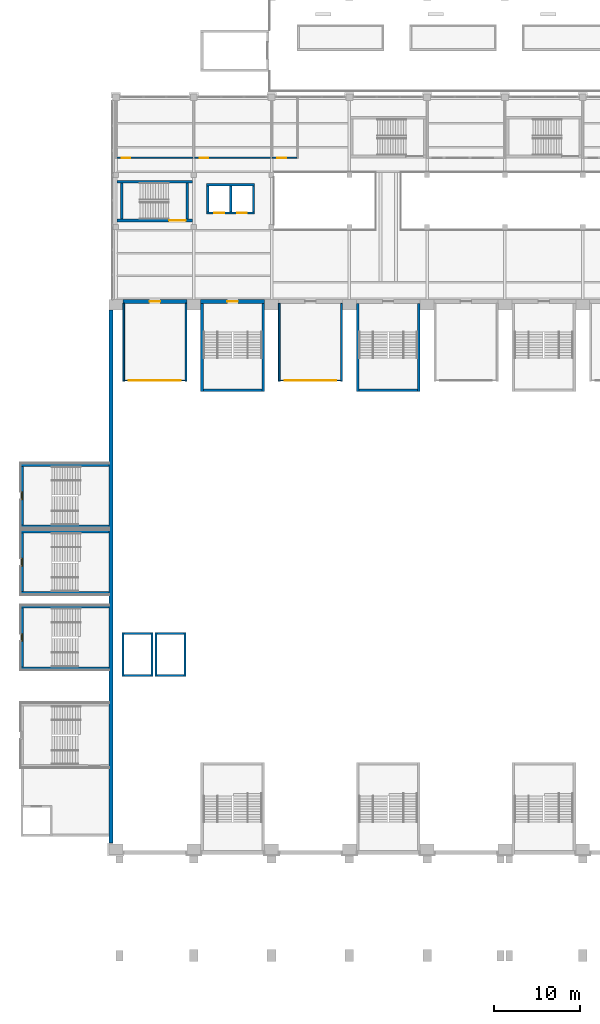
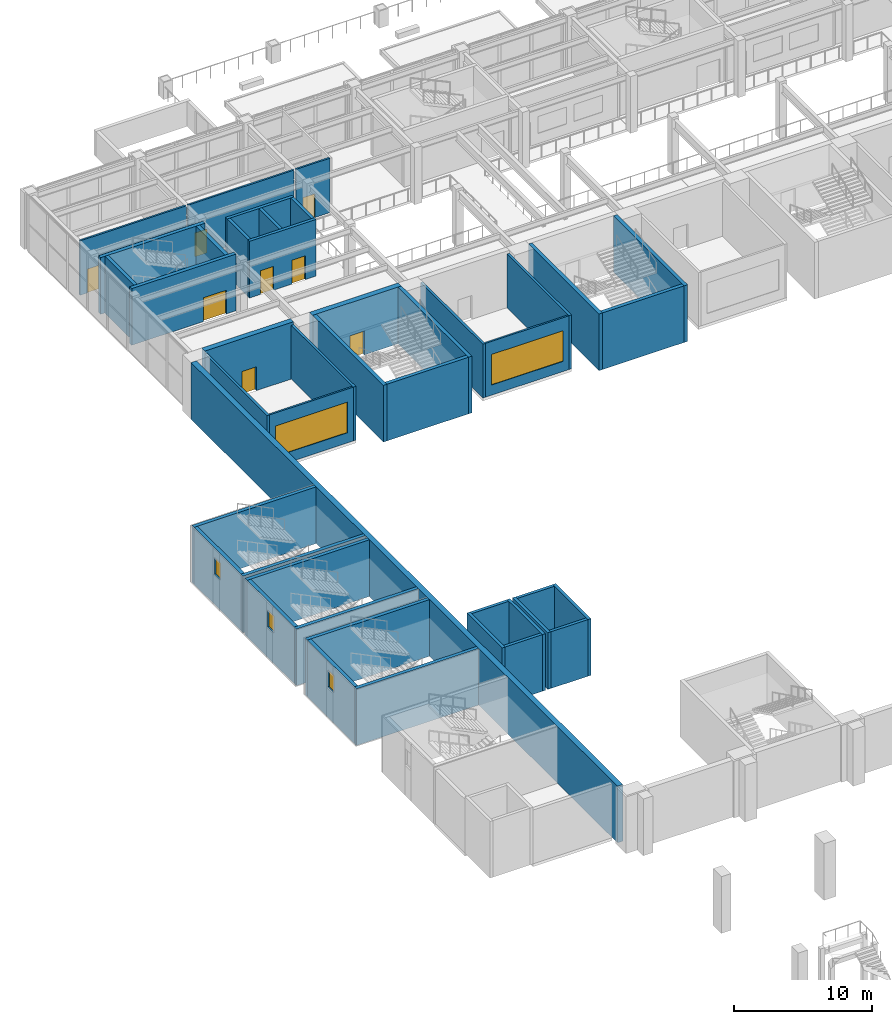
# One storey, part 36 of 67: 44 walls, 8 doors, 5 windows, 13 openings.
"""IFC4 building model written with IfcOpenShell, lengths in metres."""

from ifc_helpers import new_model, si_unit, direction, frame, frame_2d, origin, place, context, subcontext, project, spatial, rectangle, extrude, material, layer, layer_set, type_object, element, fill, save


model = new_model("IFC4")

# Units and contexts
model_context = context("Model", 3, precision=1e-05, world=origin(), true_north=direction((0.0, 1.0)))
body_context = subcontext(model_context, "Body", "Model", "MODEL_VIEW")
ifc_project = project(units=[si_unit("LENGTHUNIT", "METRE"), si_unit("AREAUNIT", "SQUARE_METRE"), si_unit("VOLUMEUNIT", "CUBIC_METRE"), si_unit("PLANEANGLEUNIT", "RADIAN"), si_unit("MASSUNIT", "GRAM", prefix="KILO")], contexts=[model_context])

# Site, building, storey
site_placement = place(None, origin())
site = spatial("IfcSite", under=ifc_project, at=site_placement, CompositionType="ELEMENT")
building_placement = place(site_placement, origin())
building = spatial("IfcBuilding", under=site, at=building_placement, Name="Aravalli Gate Trade Fair Centre", CompositionType="ELEMENT")
storey_placement = place(building_placement, frame((0.0, 0.0, 5.0)))
storey = spatial("IfcBuildingStorey", under=building, at=storey_placement, Name="L01", CompositionType="ELEMENT", Elevation=5.0)

# Walls
ifc_material_1 = material(Name="Concrete M40", Category="concrete")
ifc_layer_1 = layer(ifc_material_1, 0.25)
ifc_layer_set_1 = layer_set([ifc_layer_1], Name="Concrete M40")
wall_type_1 = type_object("IfcWallType", Name="Freight shaft wall RC 250", PredefinedType="SHEAR", material=ifc_layer_set_1)
for number, where, z_axis, x_axis, name in (
    (1, (6.824951171875, 66.0, 0.0), (0.0, 0.0, 1.0), (0.0, 1.0, 0.0), "Freight lift 1 shaft wall W L01"),
    (2, (10.175048828125, 66.0, 0.0), (0.0, 0.0, 1.0), (0.0, 1.0, 0.0), "Freight lift 1 shaft wall E L01"),
):
    element("IfcWall", number, at=place(storey_placement, frame(where, z_axis=z_axis, x_axis=x_axis)), inside=storey, type_object=wall_type_1, Name=name, PredefinedType="SHEAR", context=body_context, shape_type="SweptSolid", body=[
        extrude(rectangle(XDim=5.10009765625, YDim=0.25, at=frame_2d((2.550048828125, 0.0))), origin(), (0.0, 0.0, 1.0), 5.0),
    ])
for number, where, z_axis, x_axis, name in (
    (3, (6.949951171875, 66.125, 0.0), (0.0, 0.0, 1.0), (1.0, 0.0, 0.0), "Freight lift 1 shaft wall F L01"),
    (4, (6.949951171875, 70.97509765625, 0.0), (0.0, 0.0, 1.0), (1.0, 0.0, 0.0), "Freight lift 1 shaft wall B L01"),
):
    element("IfcWall", number, at=place(storey_placement, frame(where, z_axis=z_axis, x_axis=x_axis)), inside=storey, type_object=wall_type_1, Name=name, PredefinedType="SHEAR", context=body_context, shape_type="SweptSolid", body=[
        extrude(rectangle(XDim=3.10009765625, YDim=0.25, at=frame_2d((1.550048828125, 0.0))), origin(), (0.0, 0.0, 1.0), 5.0),
    ])
for number, where, z_axis, x_axis, name in (
    (5, (10.625, 66.0, 0.0), (0.0, 0.0, 1.0), (0.0, 1.0, 0.0), "Freight lift 2 shaft wall W L01"),
    (6, (13.97509765625, 66.0, 0.0), (0.0, 0.0, 1.0), (0.0, 1.0, 0.0), "Freight lift 2 shaft wall E L01"),
):
    element("IfcWall", number, at=place(storey_placement, frame(where, z_axis=z_axis, x_axis=x_axis)), inside=storey, type_object=wall_type_1, Name=name, PredefinedType="SHEAR", context=body_context, shape_type="SweptSolid", body=[
        extrude(rectangle(XDim=5.10009765625, YDim=0.25, at=frame_2d((2.550048828125, 0.0))), origin(), (0.0, 0.0, 1.0), 5.0),
    ])
for number, where, z_axis, x_axis, name in (
    (7, (10.75, 66.125, 0.0), (0.0, 0.0, 1.0), (1.0, 0.0, 0.0), "Freight lift 2 shaft wall F L01"),
    (8, (10.75, 70.97509765625, 0.0), (0.0, 0.0, 1.0), (1.0, 0.0, 0.0), "Freight lift 2 shaft wall B L01"),
):
    element("IfcWall", number, at=place(storey_placement, frame(where, z_axis=z_axis, x_axis=x_axis)), inside=storey, type_object=wall_type_1, Name=name, PredefinedType="SHEAR", context=body_context, shape_type="SweptSolid", body=[
        extrude(rectangle(XDim=3.10009765625, YDim=0.25, at=frame_2d((1.550048828125, 0.0))), origin(), (0.0, 0.0, 1.0), 5.0),
    ])

# Wall, opening, door
ifc_layer_2 = layer(ifc_material_1, 0.25, Name="Structural wall")
ifc_material_2 = material(Name="Ventilated air cavity")
ifc_layer_3 = layer(ifc_material_2, 0.10009765625, ventilated=True, Name="Ventilated cavity")
ifc_material_3 = material(Name="Terracotta rainscreen", Category="masonry")
ifc_layer_4 = layer(ifc_material_3, 0.10009765625, Name="Rainscreen cladding")
ifc_layer_set_2 = layer_set([ifc_layer_2, ifc_layer_3, ifc_layer_4], Name="Hall external wall 450")
wall_type_2 = type_object("IfcWallType", Name="Hall external wall 450", PredefinedType="SOLIDWALL", material=ifc_layer_set_2)
wall_1_placement = place(storey_placement, frame((6.800048828125, 109.375, 0.0), z_axis=(0.0, 0.0, 1.0), x_axis=(1.0, 0.0, 0.0)))
wall_1 = element("IfcWall", 9, at=wall_1_placement, inside=storey, type_object=wall_type_2, Name="Hall north wall bay 1 L01", PredefinedType="SOLIDWALL", context=body_context, shape_type="SweptSolid", body=[
    extrude(rectangle(XDim=7.39990234375, YDim=0.449951171875, at=frame_2d((3.699951171875, 0.0))), origin(), (0.0, 0.0, 1.0), 5.0),
])
opening_1_placement = place(wall_1_placement, frame((3.10009765625, 0.0, 0.0)))
opening_1 = element("IfcOpeningElement", 10, at=opening_1_placement, cuts=wall_1, Name="Opening H-L01-06", PredefinedType="OPENING", context=body_context, shape_type="SweptSolid", body=[
    extrude(rectangle(XDim=1.199951171875, YDim=2.10009765625, at=frame_2d((0.60009765625, 1.050048828125))), frame((0.0, 0.23486328125, 0.0), z_axis=(0.0, -1.0, 0.0), x_axis=(1.0, 0.0, 0.0)), (0.0, 0.0, 1.0), 0.469970703125),
])
ifc_material_4 = material(Name="Steel", Category="steel")
door_type_1 = type_object("IfcDoorType", Name="Meeting room door FD60", OperationType="SINGLE_SWING_LEFT", PredefinedType="DOOR", material=ifc_material_4)
door_1_placement = place(opening_1_placement, origin())
door_1 = element("IfcDoor", 11, at=door_1_placement, inside=storey, type_object=door_type_1, Name="Meeting room 1 door", OperationType="SINGLE_SWING_RIGHT", OverallHeight=2.10009765625, OverallWidth=1.199951171875, PredefinedType="DOOR", context=body_context, shape_type="SweptSolid", body=[
    extrude(rectangle(XDim=1.199951171875, YDim=2.10009765625, at=frame_2d((0.60009765625, 1.050048828125))), frame((0.0, 0.02490234375, 0.0), z_axis=(0.0, -1.0, 0.0), x_axis=(1.0, 0.0, 0.0)), (0.0, 0.0, 1.0), 0.050048828125),
])
fill(opening_1, door_1)

wall_2_placement = place(storey_placement, frame((15.800048828125, 109.375, 0.0), z_axis=(0.0, 0.0, 1.0), x_axis=(1.0, 0.0, 0.0)))
wall_2 = element("IfcWall", 12, at=wall_2_placement, inside=storey, type_object=wall_type_2, Name="Hall north wall bay 2 L01", PredefinedType="SOLIDWALL", context=body_context, shape_type="SweptSolid", body=[
    extrude(rectangle(XDim=7.39990234375, YDim=0.449951171875, at=frame_2d((3.699951171875, 0.0))), origin(), (0.0, 0.0, 1.0), 5.0),
])
opening_2_placement = place(wall_2_placement, frame((3.10009765625, 0.0, 0.0)))
opening_2 = element("IfcOpeningElement", 13, at=opening_2_placement, cuts=wall_2, Name="Opening H-L01-01", PredefinedType="OPENING", context=body_context, shape_type="SweptSolid", body=[
    extrude(rectangle(XDim=1.199951171875, YDim=2.10009765625, at=frame_2d((0.60009765625, 1.050048828125))), frame((0.0, 0.23486328125, 0.0), z_axis=(0.0, -1.0, 0.0), x_axis=(1.0, 0.0, 0.0)), (0.0, 0.0, 1.0), 0.469970703125),
])
door_type_2 = type_object("IfcDoorType", Name="Hall stair gallery door FD120", OperationType="SINGLE_SWING_LEFT", PredefinedType="DOOR", material=ifc_material_4)
door_2_placement = place(opening_2_placement, origin())
door_2 = element("IfcDoor", 14, at=door_2_placement, inside=storey, type_object=door_type_2, Name="Stair door ST-N02 L01 gallery", OperationType="SINGLE_SWING_LEFT", OverallHeight=2.10009765625, OverallWidth=1.199951171875, PredefinedType="DOOR", context=body_context, shape_type="SweptSolid", body=[
    extrude(rectangle(XDim=1.199951171875, YDim=2.10009765625, at=frame_2d((0.60009765625, 1.050048828125))), frame((0.0, 0.02490234375, 0.0), z_axis=(0.0, -1.0, 0.0), x_axis=(1.0, 0.0, 0.0)), (0.0, 0.0, 1.0), 0.050048828125),
])
fill(opening_2, door_2)

# Wall
wall_3_placement = place(storey_placement, frame((5.425048828125, 46.75, 0.0), z_axis=(0.0, 0.0, 1.0), x_axis=(0.0, 1.0, 0.0)))
element("IfcWall", 15, at=wall_3_placement, inside=storey, type_object=wall_type_2, Name="Hall west wall L01", PredefinedType="SOLIDWALL", context=body_context, shape_type="SweptSolid", body=[
    extrude(rectangle(XDim=61.64990234375, YDim=0.449951171875, at=frame_2d((30.824951171875, 0.0))), origin(), (0.0, 0.0, 1.0), 5.0),
])

# Wall, opening, window
ifc_material_5 = material(Name="Steel E350 (350 MPa)", Category="steel")
ifc_layer_5 = layer(ifc_material_5, 0.14990234375)
ifc_layer_set_3 = layer_set([ifc_layer_5], Name="Steel E350 (350 MPa)")
wall_type_3 = type_object("IfcWallType", Name="Meeting room glazed front wall 150", PredefinedType="PARTITIONING", material=ifc_layer_set_3)
wall_4_placement = place(storey_placement, frame((7.0, 100.22509765625, 0.0), z_axis=(0.0, 0.0, 1.0), x_axis=(1.0, 0.0, 0.0)))
wall_4 = element("IfcWall", 16, at=wall_4_placement, inside=storey, type_object=wall_type_3, Name="Meeting room 1 front wall", PredefinedType="PARTITIONING", context=body_context, shape_type="SweptSolid", body=[
    extrude(rectangle(XDim=7.0, YDim=0.14990234375, at=frame_2d((3.5, 0.0))), origin(), (0.0, 0.0, 1.0), 4.75),
])
opening_3_placement = place(wall_4_placement, frame((0.5, 0.0, 0.89990234375)))
opening_3 = element("IfcOpeningElement", 17, at=opening_3_placement, cuts=wall_4, Name="Opening WM1", PredefinedType="OPENING", context=body_context, shape_type="SweptSolid", body=[
    extrude(rectangle(XDim=6.0, YDim=2.699951171875, at=frame_2d((3.0, 1.35009765625))), frame((0.0, 0.0849609375, 0.0), z_axis=(0.0, -1.0, 0.0), x_axis=(1.0, 0.0, 0.0)), (0.0, 0.0, 1.0), 0.169921875),
])
ifc_material_6 = material(Name="Glass in steel frame", Category="steel")
window_type_1 = type_object("IfcWindowType", Name="Meeting room window 6000x2700", PartitioningType="TRIPLE_PANEL_VERTICAL", PredefinedType="WINDOW", material=ifc_material_6)
window_1_placement = place(opening_3_placement, origin())
window_1 = element("IfcWindow", 18, at=window_1_placement, inside=storey, type_object=window_type_1, Name="Meeting room 1 window", OverallHeight=2.699951171875, OverallWidth=6.0, PartitioningType="TRIPLE_PANEL_VERTICAL", PredefinedType="WINDOW", context=body_context, shape_type="SweptSolid", body=[
    extrude(rectangle(XDim=6.0, YDim=2.699951171875, at=frame_2d((3.0, 1.35009765625))), frame((0.0, 0.030029296875, 0.0), z_axis=(0.0, -1.0, 0.0), x_axis=(1.0, 0.0, 0.0)), (0.0, 0.0, 1.0), 0.06005859375),
])
fill(opening_3, window_1)

wall_5_placement = place(storey_placement, frame((25.0, 100.22509765625, 0.0), z_axis=(0.0, 0.0, 1.0), x_axis=(1.0, 0.0, 0.0)))
wall_5 = element("IfcWall", 19, at=wall_5_placement, inside=storey, type_object=wall_type_3, Name="Meeting room 2 front wall", PredefinedType="PARTITIONING", context=body_context, shape_type="SweptSolid", body=[
    extrude(rectangle(XDim=7.0, YDim=0.14990234375, at=frame_2d((3.5, 0.0))), origin(), (0.0, 0.0, 1.0), 4.75),
])
opening_4_placement = place(wall_5_placement, frame((0.5, 0.0, 0.89990234375)))
opening_4 = element("IfcOpeningElement", 20, at=opening_4_placement, cuts=wall_5, Name="Opening WM1", PredefinedType="OPENING", context=body_context, shape_type="SweptSolid", body=[
    extrude(rectangle(XDim=6.0, YDim=2.699951171875, at=frame_2d((3.0, 1.35009765625))), frame((0.0, 0.0849609375, 0.0), z_axis=(0.0, -1.0, 0.0), x_axis=(1.0, 0.0, 0.0)), (0.0, 0.0, 1.0), 0.169921875),
])
window_2_placement = place(opening_4_placement, origin())
window_2 = element("IfcWindow", 21, at=window_2_placement, inside=storey, type_object=window_type_1, Name="Meeting room 2 window", OverallHeight=2.699951171875, OverallWidth=6.0, PartitioningType="TRIPLE_PANEL_VERTICAL", PredefinedType="WINDOW", context=body_context, shape_type="SweptSolid", body=[
    extrude(rectangle(XDim=6.0, YDim=2.699951171875, at=frame_2d((3.0, 1.35009765625))), frame((0.0, 0.030029296875, 0.0), z_axis=(0.0, -1.0, 0.0), x_axis=(1.0, 0.0, 0.0)), (0.0, 0.0, 1.0), 0.06005859375),
])
fill(opening_4, window_2)

# Walls
ifc_layer_6 = layer(ifc_material_1, 0.199951171875)
ifc_layer_set_4 = layer_set([ifc_layer_6], Name="Concrete M40")
wall_type_4 = type_object("IfcWallType", Name="Meeting room side wall RC 200", PredefinedType="SHEAR", material=ifc_layer_set_4)
for number, where, z_axis, x_axis, name in (
    (22, (6.89990234375, 100.14990234375, 0.0), (0.0, 0.0, 1.0), (0.0, 1.0, 0.0), "Meeting room 1 side wall W"),
    (23, (14.10009765625, 100.14990234375, 0.0), (0.0, 0.0, 1.0), (0.0, 1.0, 0.0), "Meeting room 1 side wall E"),
    (24, (24.89990234375, 100.14990234375, 0.0), (0.0, 0.0, 1.0), (0.0, 1.0, 0.0), "Meeting room 2 side wall W"),
    (25, (32.10009765625, 100.14990234375, 0.0), (0.0, 0.0, 1.0), (0.0, 1.0, 0.0), "Meeting room 2 side wall E"),
):
    element("IfcWall", number, at=place(storey_placement, frame(where, z_axis=z_axis, x_axis=x_axis)), inside=storey, type_object=wall_type_4, Name=name, PredefinedType="SHEAR", context=body_context, shape_type="SweptSolid", body=[
        extrude(rectangle(XDim=9.0, YDim=0.199951171875, at=frame_2d((4.5, 0.0))), origin(), (0.0, 0.0, 1.0), 4.75),
    ])

# Wall, opening, door
ifc_material_7 = material(Name="Gypsum board")
ifc_layer_7 = layer(ifc_material_7, 0.02490234375, Name="Gypsum board lining")
ifc_material_8 = material(Name="Galvanised stud framing")
ifc_layer_8 = layer(ifc_material_8, 0.10009765625, Name="Stud framing")
ifc_layer_9 = layer(ifc_material_7, 0.02490234375, Name="Gypsum board lining")
ifc_layer_set_5 = layer_set([ifc_layer_7, ifc_layer_8, ifc_layer_9], Name="Partition wall 150")
wall_type_5 = type_object("IfcWallType", Name="Partition wall 150", PredefinedType="PARTITIONING", material=ifc_layer_set_5)
wall_6_placement = place(storey_placement, frame((6.074951171875, 126.0, 0.0), z_axis=(0.0, 0.0, 1.0), x_axis=(1.0, 0.0, 0.0)))
wall_6 = element("IfcWall", 26, at=wall_6_placement, inside=storey, type_object=wall_type_5, Name="Partition Gents WC south L01", PredefinedType="PARTITIONING", context=body_context, shape_type="SweptSolid", body=[
    extrude(rectangle(XDim=8.85009765625, YDim=0.14990234375, at=frame_2d((4.425048828125, 0.0))), origin(), (0.0, 0.0, 1.0), 4.800048828125),
])
opening_5_placement = place(wall_6_placement, frame((0.60009765625, 0.0, 0.0)))
opening_5 = element("IfcOpeningElement", 27, at=opening_5_placement, cuts=wall_6, Name="Opening C-L01-13", PredefinedType="OPENING", context=body_context, shape_type="SweptSolid", body=[
    extrude(rectangle(XDim=1.0, YDim=2.10009765625, at=frame_2d((0.5, 1.050048828125))), frame((0.0, 0.0849609375, 0.0), z_axis=(0.0, -1.0, 0.0), x_axis=(1.0, 0.0, 0.0)), (0.0, 0.0, 1.0), 0.169921875),
])
ifc_material_9 = material(Name="Steel, fire rated", Category="steel")
door_type_3 = type_object("IfcDoorType", Name="Room door 1000 x 2100", OperationType="SINGLE_SWING_RIGHT", PredefinedType="NOTDEFINED", material=ifc_material_9)
door_3_placement = place(opening_5_placement, frame((1.0, 0.0, 0.0), z_axis=(0.0, 0.0, 1.0), x_axis=(-1.0, 0.0, 0.0)))
door_3 = element("IfcDoor", 28, at=door_3_placement, inside=storey, type_object=door_type_3, Name="Door Gents WC L01", OperationType="SINGLE_SWING_LEFT", OverallHeight=2.10009765625, OverallWidth=1.0, PredefinedType="NOTDEFINED", context=body_context, shape_type="SweptSolid", body=[
    extrude(rectangle(XDim=1.0, YDim=2.10009765625, at=frame_2d((0.5, 1.050048828125))), frame((0.0, 0.02490234375, 0.0), z_axis=(0.0, -1.0, 0.0), x_axis=(1.0, 0.0, 0.0)), (0.0, 0.0, 1.0), 0.050048828125),
])
fill(opening_5, door_3)

wall_7_placement = place(storey_placement, frame((15.074951171875, 126.0, 0.0), z_axis=(0.0, 0.0, 1.0), x_axis=(1.0, 0.0, 0.0)))
wall_7 = element("IfcWall", 29, at=wall_7_placement, inside=storey, type_object=wall_type_5, Name="Partition Ladies WC south L01", PredefinedType="PARTITIONING", context=body_context, shape_type="SweptSolid", body=[
    extrude(rectangle(XDim=8.85009765625, YDim=0.14990234375, at=frame_2d((4.425048828125, 0.0))), origin(), (0.0, 0.0, 1.0), 4.800048828125),
])
opening_6_placement = place(wall_7_placement, frame((0.60009765625, 0.0, 0.0)))
opening_6 = element("IfcOpeningElement", 30, at=opening_6_placement, cuts=wall_7, Name="Opening C-L01-14", PredefinedType="OPENING", context=body_context, shape_type="SweptSolid", body=[
    extrude(rectangle(XDim=1.0, YDim=2.10009765625, at=frame_2d((0.5, 1.050048828125))), frame((0.0, 0.0849609375, 0.0), z_axis=(0.0, -1.0, 0.0), x_axis=(1.0, 0.0, 0.0)), (0.0, 0.0, 1.0), 0.169921875),
])
door_4_placement = place(opening_6_placement, frame((1.0, 0.0, 0.0), z_axis=(0.0, 0.0, 1.0), x_axis=(-1.0, 0.0, 0.0)))
door_4 = element("IfcDoor", 31, at=door_4_placement, inside=storey, type_object=door_type_3, Name="Door Ladies WC L01", OperationType="SINGLE_SWING_RIGHT", OverallHeight=2.10009765625, OverallWidth=1.0, PredefinedType="NOTDEFINED", context=body_context, shape_type="SweptSolid", body=[
    extrude(rectangle(XDim=1.0, YDim=2.10009765625, at=frame_2d((0.5, 1.050048828125))), frame((0.0, 0.02490234375, 0.0), z_axis=(0.0, -1.0, 0.0), x_axis=(1.0, 0.0, 0.0)), (0.0, 0.0, 1.0), 0.050048828125),
])
fill(opening_6, door_4)

wall_8_placement = place(storey_placement, frame((24.074951171875, 126.0, 0.0), z_axis=(0.0, 0.0, 1.0), x_axis=(1.0, 0.0, 0.0)))
wall_8 = element("IfcWall", 32, at=wall_8_placement, inside=storey, type_object=wall_type_5, Name="Partition Accessible WC south L01", PredefinedType="PARTITIONING", context=body_context, shape_type="SweptSolid", body=[
    extrude(rectangle(XDim=2.85009765625, YDim=0.14990234375, at=frame_2d((1.425048828125, 0.0))), origin(), (0.0, 0.0, 1.0), 4.800048828125),
])
opening_7_placement = place(wall_8_placement, frame((0.60009765625, 0.0, 0.0)))
opening_7 = element("IfcOpeningElement", 33, at=opening_7_placement, cuts=wall_8, Name="Opening C-L01-15", PredefinedType="OPENING", context=body_context, shape_type="SweptSolid", body=[
    extrude(rectangle(XDim=1.0, YDim=2.10009765625, at=frame_2d((0.5, 1.050048828125))), frame((0.0, 0.0849609375, 0.0), z_axis=(0.0, -1.0, 0.0), x_axis=(1.0, 0.0, 0.0)), (0.0, 0.0, 1.0), 0.169921875),
])
door_5_placement = place(opening_7_placement, origin())
door_5 = element("IfcDoor", 34, at=door_5_placement, inside=storey, type_object=door_type_3, Name="Door Accessible WC L01", OperationType="SINGLE_SWING_LEFT", OverallHeight=2.10009765625, OverallWidth=1.0, PredefinedType="NOTDEFINED", context=body_context, shape_type="SweptSolid", body=[
    extrude(rectangle(XDim=1.0, YDim=2.10009765625, at=frame_2d((0.5, 1.050048828125))), frame((0.0, 0.02490234375, 0.0), z_axis=(0.0, -1.0, 0.0), x_axis=(1.0, 0.0, 0.0)), (0.0, 0.0, 1.0), 0.050048828125),
])
fill(opening_7, door_5)

# Wall, openings, doors
ifc_layer_10 = layer(ifc_material_1, 0.25)
ifc_layer_set_6 = layer_set([ifc_layer_10], Name="Concrete M40")
wall_type_6 = type_object("IfcWallType", Name="RC core wall 250", PredefinedType="SHEAR", material=ifc_layer_set_6)
wall_9_placement = place(storey_placement, frame((16.5, 119.625, 0.0), z_axis=(0.0, 0.0, 1.0), x_axis=(1.0, 0.0, 0.0)))
wall_9 = element("IfcWall", 35, at=wall_9_placement, inside=storey, type_object=wall_type_6, Name="Core wall WLS L01", PredefinedType="SHEAR", context=body_context, shape_type="SweptSolid", body=[
    extrude(rectangle(XDim=5.550048828125, YDim=0.25, at=frame_2d((2.77490234375, 0.0))), origin(), (0.0, 0.0, 1.0), 5.0),
])
opening_8_placement = place(wall_9_placement, frame((0.89990234375, 0.0, 0.0)))
opening_8 = element("IfcOpeningElement", 36, at=opening_8_placement, cuts=wall_9, Name="Opening C-L01-03", PredefinedType="OPENING", context=body_context, shape_type="SweptSolid", body=[
    extrude(rectangle(XDim=1.10009765625, YDim=2.10009765625, at=frame_2d((0.550048828125, 1.050048828125))), frame((0.0, 0.135009765625, 0.0), z_axis=(0.0, -1.0, 0.0), x_axis=(1.0, 0.0, 0.0)), (0.0, 0.0, 1.0), 0.27001953125),
])
opening_9_placement = place(wall_9_placement, frame((3.550048828125, 0.0, 0.0)))
opening_9 = element("IfcOpeningElement", 37, at=opening_9_placement, cuts=wall_9, Name="Opening C-L01-04", PredefinedType="OPENING", context=body_context, shape_type="SweptSolid", body=[
    extrude(rectangle(XDim=1.10009765625, YDim=2.10009765625, at=frame_2d((0.550048828125, 1.050048828125))), frame((0.0, 0.135009765625, 0.0), z_axis=(0.0, -1.0, 0.0), x_axis=(1.0, 0.0, 0.0)), (0.0, 0.0, 1.0), 0.27001953125),
])
door_type_4 = type_object("IfcDoorType", Name="Concourse lift landing door 1100 x 2100", OperationType="DOUBLE_DOOR_SLIDING", PredefinedType="NOTDEFINED", material=ifc_material_9)
door_6_placement = place(opening_8_placement, origin())
door_6 = element("IfcDoor", 38, at=door_6_placement, inside=storey, type_object=door_type_4, Name="Lift landing door WL1 L01", OperationType="DOUBLE_DOOR_SLIDING", OverallHeight=2.10009765625, OverallWidth=1.10009765625, PredefinedType="NOTDEFINED", context=body_context, shape_type="SweptSolid", body=[
    extrude(rectangle(XDim=1.10009765625, YDim=2.10009765625, at=frame_2d((0.550048828125, 1.050048828125))), frame((0.0, 0.02490234375, 0.0), z_axis=(0.0, -1.0, 0.0), x_axis=(1.0, 0.0, 0.0)), (0.0, 0.0, 1.0), 0.050048828125),
])
fill(opening_8, door_6)
door_7_placement = place(opening_9_placement, origin())
door_7 = element("IfcDoor", 39, at=door_7_placement, inside=storey, type_object=door_type_4, Name="Lift landing door WL2 L01", OperationType="DOUBLE_DOOR_SLIDING", OverallHeight=2.10009765625, OverallWidth=1.10009765625, PredefinedType="NOTDEFINED", context=body_context, shape_type="SweptSolid", body=[
    extrude(rectangle(XDim=1.10009765625, YDim=2.10009765625, at=frame_2d((0.550048828125, 1.050048828125))), frame((0.0, 0.02490234375, 0.0), z_axis=(0.0, -1.0, 0.0), x_axis=(1.0, 0.0, 0.0)), (0.0, 0.0, 1.0), 0.050048828125),
])
fill(opening_9, door_7)

# Walls
wall_10_placement = place(storey_placement, frame((16.5, 122.875, 0.0), z_axis=(0.0, 0.0, 1.0), x_axis=(1.0, 0.0, 0.0)))
element("IfcWall", 40, at=wall_10_placement, inside=storey, type_object=wall_type_6, Name="Core wall WLN L01", PredefinedType="SHEAR", context=body_context, shape_type="SweptSolid", body=[
    extrude(rectangle(XDim=5.550048828125, YDim=0.25, at=frame_2d((2.77490234375, 0.0))), origin(), (0.0, 0.0, 1.0), 5.0),
])
for number, where, z_axis, x_axis, name in (
    (41, (16.625, 119.75, 0.0), (0.0, 0.0, 1.0), (0.0, 1.0, 0.0), "Core wall WLW L01"),
    (42, (21.925048828125, 119.75, 0.0), (0.0, 0.0, 1.0), (0.0, 1.0, 0.0), "Core wall WLE L01"),
    (43, (19.27490234375, 119.75, 0.0), (0.0, 0.0, 1.0), (0.0, 1.0, 0.0), "Core wall WLM L01"),
):
    element("IfcWall", number, at=place(storey_placement, frame(where, z_axis=z_axis, x_axis=x_axis)), inside=storey, type_object=wall_type_6, Name=name, PredefinedType="SHEAR", context=body_context, shape_type="SweptSolid", body=[
        extrude(rectangle(XDim=3.0, YDim=0.25, at=frame_2d((1.5, 0.0))), origin(), (0.0, 0.0, 1.0), 5.0),
    ])

# Wall, opening, door
ifc_layer_11 = layer(ifc_material_1, 0.300048828125)
ifc_layer_set_7 = layer_set([ifc_layer_11], Name="Concrete M40")
wall_type_7 = type_object("IfcWallType", Name="RC core wall 300", PredefinedType="SHEAR", material=ifc_layer_set_7)
wall_11_placement = place(storey_placement, frame((6.14990234375, 118.75, 0.0), z_axis=(0.0, 0.0, 1.0), x_axis=(1.0, 0.0, 0.0)))
wall_11 = element("IfcWall", 44, at=wall_11_placement, inside=storey, type_object=wall_type_7, Name="Core wall WSS L01", PredefinedType="SHEAR", context=body_context, shape_type="SweptSolid", body=[
    extrude(rectangle(XDim=8.7001953125, YDim=0.300048828125, at=frame_2d((4.35009765625, 0.0))), origin(), (0.0, 0.0, 1.0), 5.0),
])
opening_10_placement = place(wall_11_placement, frame((6.0, 0.0, 0.0)))
opening_10 = element("IfcOpeningElement", 45, at=opening_10_placement, cuts=wall_11, Name="Opening C-L01-02", PredefinedType="OPENING", context=body_context, shape_type="SweptSolid", body=[
    extrude(rectangle(XDim=1.89990234375, YDim=2.10009765625, at=frame_2d((0.949951171875, 1.050048828125))), frame((0.0, 0.159912109375, 0.0), z_axis=(0.0, -1.0, 0.0), x_axis=(1.0, 0.0, 0.0)), (0.0, 0.0, 1.0), 0.320068359375),
])
door_type_5 = type_object("IfcDoorType", Name="Concourse stair door 1900 x 2100", OperationType="DOUBLE_DOOR_SINGLE_SWING", PredefinedType="NOTDEFINED", material=ifc_material_9)
door_8_placement = place(opening_10_placement, frame((1.89990234375, 0.0, 0.0), z_axis=(0.0, 0.0, 1.0), x_axis=(-1.0, 0.0, 0.0)))
door_8 = element("IfcDoor", 46, at=door_8_placement, inside=storey, type_object=door_type_5, Name="Stair door WS L01", OperationType="DOUBLE_DOOR_SINGLE_SWING", OverallHeight=2.10009765625, OverallWidth=1.89990234375, PredefinedType="NOTDEFINED", context=body_context, shape_type="SweptSolid", body=[
    extrude(rectangle(XDim=1.89990234375, YDim=2.10009765625, at=frame_2d((0.949951171875, 1.050048828125))), frame((0.0, 0.02490234375, 0.0), z_axis=(0.0, -1.0, 0.0), x_axis=(1.0, 0.0, 0.0)), (0.0, 0.0, 1.0), 0.050048828125),
])
fill(opening_10, door_8)

# Walls
wall_12_placement = place(storey_placement, frame((6.14990234375, 123.25, 0.0), z_axis=(0.0, 0.0, 1.0), x_axis=(1.0, 0.0, 0.0)))
element("IfcWall", 47, at=wall_12_placement, inside=storey, type_object=wall_type_7, Name="Core wall WSN L01", PredefinedType="SHEAR", context=body_context, shape_type="SweptSolid", body=[
    extrude(rectangle(XDim=8.7001953125, YDim=0.300048828125, at=frame_2d((4.35009765625, 0.0))), origin(), (0.0, 0.0, 1.0), 5.0),
])
for number, where, z_axis, x_axis, name in (
    (48, (6.64990234375, 118.89990234375, 0.0), (0.0, 0.0, 1.0), (0.0, 1.0, 0.0), "Core wall WSW L01"),
    (49, (14.25, 118.89990234375, 0.0), (0.0, 0.0, 1.0), (0.0, 1.0, 0.0), "Core wall WSE L01"),
):
    element("IfcWall", number, at=place(storey_placement, frame(where, z_axis=z_axis, x_axis=x_axis)), inside=storey, type_object=wall_type_7, Name=name, PredefinedType="SHEAR", context=body_context, shape_type="SweptSolid", body=[
        extrude(rectangle(XDim=4.2001953125, YDim=0.300048828125, at=frame_2d((2.10009765625, 0.0))), origin(), (0.0, 0.0, 1.0), 5.0),
    ])
ifc_layer_12 = layer(ifc_material_1, 0.300048828125)
ifc_layer_set_8 = layer_set([ifc_layer_12], Name="Concrete M40")
wall_type_8 = type_object("IfcWallType", Name="Stair tower wall RC 300", PredefinedType="SHEAR", material=ifc_layer_set_8)
for number, where, z_axis, x_axis, name in (
    (50, (15.949951171875, 109.14990234375, 0.0), (0.0, 0.0, 1.0), (0.0, -1.0, 0.0), "Stair tower N02 wall W L01"),
    (51, (23.050048828125, 109.14990234375, 0.0), (0.0, 0.0, 1.0), (0.0, -1.0, 0.0), "Stair tower N02 wall E L01"),
):
    element("IfcWall", number, at=place(storey_placement, frame(where, z_axis=z_axis, x_axis=x_axis)), inside=storey, type_object=wall_type_8, Name=name, PredefinedType="SHEAR", context=body_context, shape_type="SweptSolid", body=[
        extrude(rectangle(XDim=10.199951171875, YDim=0.300048828125, at=frame_2d((5.10009765625, 0.0))), origin(), (0.0, 0.0, 1.0), 5.0),
    ])
wall_13_placement = place(storey_placement, frame((16.10009765625, 99.10009765625, 0.0), z_axis=(0.0, 0.0, 1.0), x_axis=(1.0, 0.0, 0.0)))
element("IfcWall", 52, at=wall_13_placement, inside=storey, type_object=wall_type_8, Name="Stair tower N02 wall F L01", PredefinedType="SHEAR", context=body_context, shape_type="SweptSolid", body=[
    extrude(rectangle(XDim=6.7998046875, YDim=0.300048828125, at=frame_2d((3.39990234375, 0.0))), origin(), (0.0, 0.0, 1.0), 5.0),
])
for number, where, z_axis, x_axis, name in (
    (53, (33.949951171875, 109.14990234375, 0.0), (0.0, 0.0, 1.0), (0.0, -1.0, 0.0), "Stair tower N04 wall W L01"),
    (54, (41.050048828125, 109.14990234375, 0.0), (0.0, 0.0, 1.0), (0.0, -1.0, 0.0), "Stair tower N04 wall E L01"),
):
    element("IfcWall", number, at=place(storey_placement, frame(where, z_axis=z_axis, x_axis=x_axis)), inside=storey, type_object=wall_type_8, Name=name, PredefinedType="SHEAR", context=body_context, shape_type="SweptSolid", body=[
        extrude(rectangle(XDim=10.199951171875, YDim=0.300048828125, at=frame_2d((5.10009765625, 0.0))), origin(), (0.0, 0.0, 1.0), 5.0),
    ])
wall_14_placement = place(storey_placement, frame((34.10009765625, 99.10009765625, 0.0), z_axis=(0.0, 0.0, 1.0), x_axis=(1.0, 0.0, 0.0)))
element("IfcWall", 55, at=wall_14_placement, inside=storey, type_object=wall_type_8, Name="Stair tower N04 wall F L01", PredefinedType="SHEAR", context=body_context, shape_type="SweptSolid", body=[
    extrude(rectangle(XDim=6.7998046875, YDim=0.300048828125, at=frame_2d((3.39990234375, 0.0))), origin(), (0.0, 0.0, 1.0), 5.0),
])
for number, where, z_axis, x_axis, name in (
    (56, (5.199951171875, 75.64990234375, 0.0), (0.0, 0.0, 1.0), (-1.0, 0.0, 0.0), "Stair tower W2 wall W L01"),
    (57, (5.199951171875, 82.75, 0.0), (0.0, 0.0, 1.0), (-1.0, 0.0, 0.0), "Stair tower W2 wall E L01"),
):
    element("IfcWall", number, at=place(storey_placement, frame(where, z_axis=z_axis, x_axis=x_axis)), inside=storey, type_object=wall_type_8, Name=name, PredefinedType="SHEAR", context=body_context, shape_type="SweptSolid", body=[
        extrude(rectangle(XDim=10.199951171875, YDim=0.300048828125, at=frame_2d((5.10009765625, 0.0))), origin(), (0.0, 0.0, 1.0), 5.0),
    ])

# Wall, opening, window
wall_15_placement = place(storey_placement, frame((-4.85009765625, 75.800048828125, 0.0), z_axis=(0.0, 0.0, 1.0), x_axis=(0.0, 1.0, 0.0)))
wall_15 = element("IfcWall", 58, at=wall_15_placement, inside=storey, type_object=wall_type_8, Name="Stair tower W2 wall F L01", PredefinedType="SHEAR", context=body_context, shape_type="SweptSolid", body=[
    extrude(rectangle(XDim=6.800048828125, YDim=0.300048828125, at=frame_2d((3.39990234375, 0.0))), origin(), (0.0, 0.0, 1.0), 5.0),
])
opening_11_placement = place(wall_15_placement, frame((2.949951171875, 0.0, 2.669921875)))
opening_11 = element("IfcOpeningElement", 59, at=opening_11_placement, cuts=wall_15, Name="Opening LW1", PredefinedType="OPENING", context=body_context, shape_type="SweptSolid", body=[
    extrude(rectangle(XDim=0.89990234375, YDim=1.5, at=frame_2d((0.449951171875, 0.75))), frame((0.0, 0.159912109375, 0.0), z_axis=(0.0, -1.0, 0.0), x_axis=(1.0, 0.0, 0.0)), (0.0, 0.0, 1.0), 0.320068359375),
])
ifc_material_10 = material(Name="Fire-resistant glazing", Category="glass")
window_type_2 = type_object("IfcWindowType", Name="Stair landing window FRG 900x1500", PartitioningType="SINGLE_PANEL", PredefinedType="WINDOW", material=ifc_material_10)
window_3_placement = place(opening_11_placement, origin())
window_3 = element("IfcWindow", 60, at=window_3_placement, inside=storey, type_object=window_type_2, Name="Stair landing window W2 L01", OverallHeight=1.5, OverallWidth=0.89990234375, PartitioningType="SINGLE_PANEL", PredefinedType="WINDOW", context=body_context, shape_type="SweptSolid", body=[
    extrude(rectangle(XDim=0.89990234375, YDim=1.5, at=frame_2d((0.449951171875, 0.75))), frame((0.0, 0.030029296875, 0.0), z_axis=(0.0, -1.0, 0.0), x_axis=(1.0, 0.0, 0.0)), (0.0, 0.0, 1.0), 0.06005859375),
])
fill(opening_11, window_3)

# Walls
for number, where, z_axis, x_axis, name in (
    (61, (5.199951171875, 66.949951171875, 0.0), (0.0, 0.0, 1.0), (-1.0, 0.0, 0.0), "Stair tower W4 wall W L01"),
    (62, (5.199951171875, 74.050048828125, 0.0), (0.0, 0.0, 1.0), (-1.0, 0.0, 0.0), "Stair tower W4 wall E L01"),
):
    element("IfcWall", number, at=place(storey_placement, frame(where, z_axis=z_axis, x_axis=x_axis)), inside=storey, type_object=wall_type_8, Name=name, PredefinedType="SHEAR", context=body_context, shape_type="SweptSolid", body=[
        extrude(rectangle(XDim=10.199951171875, YDim=0.300048828125, at=frame_2d((5.10009765625, 0.0))), origin(), (0.0, 0.0, 1.0), 5.0),
    ])

# Wall, opening, window
wall_16_placement = place(storey_placement, frame((-4.85009765625, 67.10009765625, 0.0), z_axis=(0.0, 0.0, 1.0), x_axis=(0.0, 1.0, 0.0)))
wall_16 = element("IfcWall", 63, at=wall_16_placement, inside=storey, type_object=wall_type_8, Name="Stair tower W4 wall F L01", PredefinedType="SHEAR", context=body_context, shape_type="SweptSolid", body=[
    extrude(rectangle(XDim=6.7998046875, YDim=0.300048828125, at=frame_2d((3.39990234375, 0.0))), origin(), (0.0, 0.0, 1.0), 5.0),
])
opening_12_placement = place(wall_16_placement, frame((2.949951171875, 0.0, 2.669921875)))
opening_12 = element("IfcOpeningElement", 64, at=opening_12_placement, cuts=wall_16, Name="Opening LW1", PredefinedType="OPENING", context=body_context, shape_type="SweptSolid", body=[
    extrude(rectangle(XDim=0.89990234375, YDim=1.5, at=frame_2d((0.449951171875, 0.75))), frame((0.0, 0.159912109375, 0.0), z_axis=(0.0, -1.0, 0.0), x_axis=(1.0, 0.0, 0.0)), (0.0, 0.0, 1.0), 0.320068359375),
])
window_4_placement = place(opening_12_placement, origin())
window_4 = element("IfcWindow", 65, at=window_4_placement, inside=storey, type_object=window_type_2, Name="Stair landing window W4 L01", OverallHeight=1.5, OverallWidth=0.89990234375, PartitioningType="SINGLE_PANEL", PredefinedType="WINDOW", context=body_context, shape_type="SweptSolid", body=[
    extrude(rectangle(XDim=0.89990234375, YDim=1.5, at=frame_2d((0.449951171875, 0.75))), frame((0.0, 0.030029296875, 0.0), z_axis=(0.0, -1.0, 0.0), x_axis=(1.0, 0.0, 0.0)), (0.0, 0.0, 1.0), 0.06005859375),
])
fill(opening_12, window_4)

# Walls
for number, where, z_axis, x_axis, name in (
    (66, (5.199951171875, 83.35009765625, 0.0), (0.0, 0.0, 1.0), (-1.0, 0.0, 0.0), "Stair tower W5 wall W L01"),
    (67, (5.199951171875, 90.449951171875, 0.0), (0.0, 0.0, 1.0), (-1.0, 0.0, 0.0), "Stair tower W5 wall E L01"),
):
    element("IfcWall", number, at=place(storey_placement, frame(where, z_axis=z_axis, x_axis=x_axis)), inside=storey, type_object=wall_type_8, Name=name, PredefinedType="SHEAR", context=body_context, shape_type="SweptSolid", body=[
        extrude(rectangle(XDim=10.199951171875, YDim=0.300048828125, at=frame_2d((5.10009765625, 0.0))), origin(), (0.0, 0.0, 1.0), 5.0),
    ])

# Wall, opening, window
wall_17_placement = place(storey_placement, frame((-4.85009765625, 83.5, 0.0), z_axis=(0.0, 0.0, 1.0), x_axis=(0.0, 1.0, 0.0)))
wall_17 = element("IfcWall", 68, at=wall_17_placement, inside=storey, type_object=wall_type_8, Name="Stair tower W5 wall F L01", PredefinedType="SHEAR", context=body_context, shape_type="SweptSolid", body=[
    extrude(rectangle(XDim=6.800048828125, YDim=0.300048828125, at=frame_2d((3.39990234375, 0.0))), origin(), (0.0, 0.0, 1.0), 5.0),
])
opening_13_placement = place(wall_17_placement, frame((2.949951171875, 0.0, 2.669921875)))
opening_13 = element("IfcOpeningElement", 69, at=opening_13_placement, cuts=wall_17, Name="Opening LW1", PredefinedType="OPENING", context=body_context, shape_type="SweptSolid", body=[
    extrude(rectangle(XDim=0.89990234375, YDim=1.5, at=frame_2d((0.449951171875, 0.75))), frame((0.0, 0.159912109375, 0.0), z_axis=(0.0, -1.0, 0.0), x_axis=(1.0, 0.0, 0.0)), (0.0, 0.0, 1.0), 0.320068359375),
])
window_5_placement = place(opening_13_placement, origin())
window_5 = element("IfcWindow", 70, at=window_5_placement, inside=storey, type_object=window_type_2, Name="Stair landing window W5 L01", OverallHeight=1.5, OverallWidth=0.89990234375, PartitioningType="SINGLE_PANEL", PredefinedType="WINDOW", context=body_context, shape_type="SweptSolid", body=[
    extrude(rectangle(XDim=0.89990234375, YDim=1.5, at=frame_2d((0.449951171875, 0.75))), frame((0.0, 0.030029296875, 0.0), z_axis=(0.0, -1.0, 0.0), x_axis=(1.0, 0.0, 0.0)), (0.0, 0.0, 1.0), 0.06005859375),
])
fill(opening_13, window_5)

save(model, "model.ifc")
